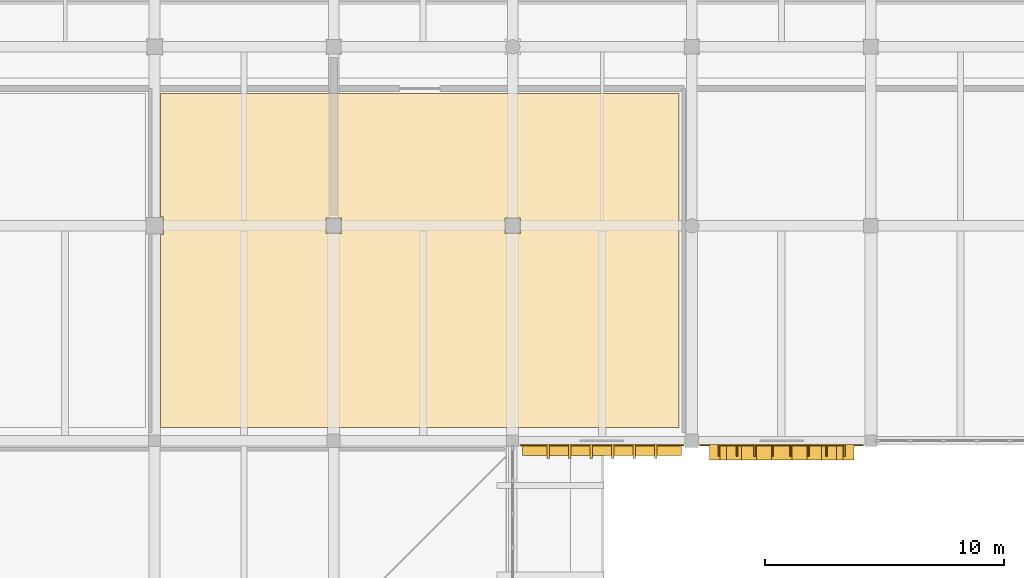
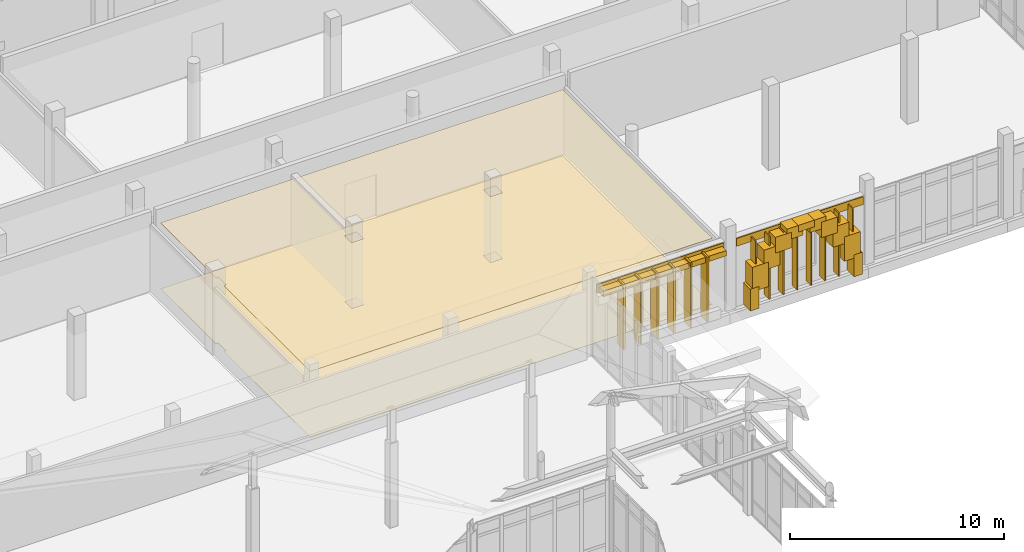
# One storey, part 123 of 131: 21 coverings, 9 shading devices.
"""IFC4 building model written with IfcOpenShell, lengths in metres."""

from ifc_helpers import new_model, si_unit, direction, frame, origin, origin_2d, place, context, subcontext, project, spatial, polyline, rectangle, outline, extrude, material, layer, layer_set, type_object, element, save


model = new_model("IFC4")

# Units and contexts
model_context = context("Model", 3, precision=1e-05, world=origin(), true_north=direction((0.0, 1.0)))
body_context = subcontext(model_context, "Body", "Model", "MODEL_VIEW")
ifc_project = project(units=[si_unit("LENGTHUNIT", "METRE"), si_unit("AREAUNIT", "SQUARE_METRE"), si_unit("VOLUMEUNIT", "CUBIC_METRE"), si_unit("PLANEANGLEUNIT", "RADIAN"), si_unit("MASSUNIT", "GRAM", prefix="KILO")], contexts=[model_context])

# Site, building, storey
site_placement = place(None, origin())
site = spatial("IfcSite", under=ifc_project, at=site_placement, CompositionType="ELEMENT")
building_placement = place(site_placement, origin())
building = spatial("IfcBuilding", under=site, at=building_placement, Name="Dalvernix Boulevard General Hospital", CompositionType="ELEMENT")
storey_placement = place(building_placement, frame((0.0, 0.0, 9.300048828125)))
storey = spatial("IfcBuildingStorey", under=building, at=storey_placement, Name="L02", CompositionType="ELEMENT", Elevation=9.300048828125)

# Coverings
ifc_material_1 = material(Name="Pressed Catalan clay brick and dressed limestone parabolic archivolt", Category="masonry")
ifc_layer_1 = layer(ifc_material_1, 0.419921875)
ifc_layer_set_1 = layer_set([ifc_layer_1], Name="Pressed Catalan clay brick and dressed limestone parabolic archivolt (COV-ARC-01)")
covering_type_1 = type_object("IfcCoveringType", Name="COV-ARC-01", PredefinedType="CLADDING", material=ifc_layer_set_1)
for number, where, z_axis, x_axis, name in (
    (1, (126.5625, 76.014892578125, 0.0), (0.0, 0.0, 1.0), (-1.0, 0.0, 0.0), "L02 Catalan parabolic arch impost pier S 16-10-L"),
    (2, (120.96240234375, 76.014892578125, 0.0), (0.0, 0.0, 1.0), (-1.0, 0.0, 0.0), "L02 Catalan parabolic arch impost pier S 16-10-R"),
):
    element("IfcCovering", number, at=place(storey_placement, frame(where, z_axis=z_axis, x_axis=x_axis)), inside=storey, type_object=covering_type_1, Name=name, PredefinedType="CLADDING", context=body_context, shape_type="SweptSolid", body=[
        extrude(rectangle(XDim=0.4599609375, YDim=0.659912109375, at=origin_2d()), origin(), (0.0, 0.0, 1.0), 1.25),
    ])
covering_1_placement = place(storey_placement, frame((126.25146484375, 76.014892578125, 1.059814453125), z_axis=(0.0, 0.0, 1.0), x_axis=(-1.0, 0.0, 0.0)))
element("IfcCovering", 3, at=covering_1_placement, inside=storey, type_object=covering_type_1, Name="L02 Catalan parabolic archivolt voussoir S 16-10-1", PredefinedType="CLADDING", context=body_context, shape_type="SweptSolid", body=[
    extrude(rectangle(XDim=0.8623046875, YDim=0.659912109375, at=origin_2d()), origin(), (0.0, 0.0, 1.0), 1.3994140625),
])
covering_2_placement = place(storey_placement, frame((125.629150390625, 76.014892578125, 2.0791015625), z_axis=(0.0, 0.0, 1.0), x_axis=(-1.0, 0.0, 0.0)))
element("IfcCovering", 4, at=covering_2_placement, inside=storey, type_object=covering_type_1, Name="L02 Catalan parabolic archivolt voussoir S 16-10-2", PredefinedType="CLADDING", context=body_context, shape_type="SweptSolid", body=[
    extrude(rectangle(XDim=0.8623046875, YDim=0.659912109375, at=origin_2d()), origin(), (0.0, 0.0, 1.0), 1.144287109375),
])
covering_3_placement = place(storey_placement, frame((125.0068359375, 76.014892578125, 2.843505859375), z_axis=(0.0, 0.0, 1.0), x_axis=(-1.0, 0.0, 0.0)))
element("IfcCovering", 5, at=covering_3_placement, inside=storey, type_object=covering_type_1, Name="L02 Catalan parabolic archivolt voussoir S 16-10-3", PredefinedType="CLADDING", context=body_context, shape_type="SweptSolid", body=[
    extrude(rectangle(XDim=0.8623046875, YDim=0.659912109375, at=origin_2d()), origin(), (0.0, 0.0, 1.0), 0.8896484375),
])
covering_4_placement = place(storey_placement, frame((124.384765625, 76.014892578125, 3.353271484375), z_axis=(0.0, 0.0, 1.0), x_axis=(-1.0, 0.0, 0.0)))
element("IfcCovering", 6, at=covering_4_placement, inside=storey, type_object=covering_type_1, Name="L02 Catalan parabolic archivolt voussoir S 16-10-4", PredefinedType="CLADDING", context=body_context, shape_type="SweptSolid", body=[
    extrude(rectangle(XDim=0.8623046875, YDim=0.659912109375, at=origin_2d()), origin(), (0.0, 0.0, 1.0), 0.634765625),
])
covering_5_placement = place(storey_placement, frame((123.762451171875, 76.014892578125, 3.608154296875), z_axis=(0.0, 0.0, 1.0), x_axis=(-1.0, 0.0, 0.0)))
element("IfcCovering", 7, at=covering_5_placement, inside=storey, type_object=covering_type_1, Name="L02 Catalan parabolic archivolt voussoir S 16-10-5", PredefinedType="CLADDING", context=body_context, shape_type="SweptSolid", body=[
    extrude(rectangle(XDim=0.8623046875, YDim=0.659912109375, at=origin_2d()), origin(), (0.0, 0.0, 1.0), 0.3798828125),
])
covering_6_placement = place(storey_placement, frame((123.140380859375, 76.014892578125, 3.353271484375), z_axis=(0.0, 0.0, 1.0), x_axis=(-1.0, 0.0, 0.0)))
element("IfcCovering", 8, at=covering_6_placement, inside=storey, type_object=covering_type_1, Name="L02 Catalan parabolic archivolt voussoir S 16-10-6", PredefinedType="CLADDING", context=body_context, shape_type="SweptSolid", body=[
    extrude(rectangle(XDim=0.8623046875, YDim=0.659912109375, at=origin_2d()), origin(), (0.0, 0.0, 1.0), 0.634765625),
])
covering_7_placement = place(storey_placement, frame((122.51806640625, 76.014892578125, 2.843505859375), z_axis=(0.0, 0.0, 1.0), x_axis=(-1.0, 0.0, 0.0)))
element("IfcCovering", 9, at=covering_7_placement, inside=storey, type_object=covering_type_1, Name="L02 Catalan parabolic archivolt voussoir S 16-10-7", PredefinedType="CLADDING", context=body_context, shape_type="SweptSolid", body=[
    extrude(rectangle(XDim=0.8623046875, YDim=0.659912109375, at=origin_2d()), origin(), (0.0, 0.0, 1.0), 0.8896484375),
])
covering_8_placement = place(storey_placement, frame((121.895751953125, 76.014892578125, 2.0791015625), z_axis=(0.0, 0.0, 1.0), x_axis=(-1.0, 0.0, 0.0)))
element("IfcCovering", 10, at=covering_8_placement, inside=storey, type_object=covering_type_1, Name="L02 Catalan parabolic archivolt voussoir S 16-10-8", PredefinedType="CLADDING", context=body_context, shape_type="SweptSolid", body=[
    extrude(rectangle(XDim=0.8623046875, YDim=0.659912109375, at=origin_2d()), origin(), (0.0, 0.0, 1.0), 1.144287109375),
])
covering_9_placement = place(storey_placement, frame((121.273681640625, 76.014892578125, 1.059814453125), z_axis=(0.0, 0.0, 1.0), x_axis=(-1.0, 0.0, 0.0)))
element("IfcCovering", 11, at=covering_9_placement, inside=storey, type_object=covering_type_1, Name="L02 Catalan parabolic archivolt voussoir S 16-10-9", PredefinedType="CLADDING", context=body_context, shape_type="SweptSolid", body=[
    extrude(rectangle(XDim=0.8623046875, YDim=0.659912109375, at=origin_2d()), origin(), (0.0, 0.0, 1.0), 1.3994140625),
])
ifc_material_2 = material(Name="Antimicrobial acoustic mineral-fibre suspended ceiling")
ifc_layer_2 = layer(ifc_material_2, 0.02490234375)
ifc_layer_set_2 = layer_set([ifc_layer_2], Name="Antimicrobial acoustic mineral-fibre suspended ceiling (COV-CEIL-01)")
covering_type_2 = type_object("IfcCoveringType", Name="COV-CEIL-01", PredefinedType="CEILING", material=ifc_layer_set_2)
covering_10_placement = place(storey_placement, frame((0.0, 0.0, 3.7548828125)))
element("IfcCovering", 12, at=covering_10_placement, inside=storey, type_object=covering_type_2, Name="L02 Operating Theatre 09 hygienic suspended ceiling", PredefinedType="CEILING", context=body_context, shape_type="SweptSolid", body=[
    extrude(outline(polyline([(97.8701171875, 85.1298828125), (97.8701171875, 85.8701171875), (97.75, 85.8701171875), (97.75, 91.050048828125), (119.469970703125, 91.050048828125), (119.469970703125, 77.050048828125), (97.75, 77.050048828125), (97.75, 85.1298828125), (97.8701171875, 85.1298828125)]), holes=[polyline([(104.679931640625, 85.820068359375), (104.679931640625, 85.179931640625), (105.320068359375, 85.179931640625), (105.320068359375, 85.820068359375), (104.679931640625, 85.820068359375)]), polyline([(112.820068359375, 85.820068359375), (112.179931640625, 85.820068359375), (112.179931640625, 85.179931640625), (112.820068359375, 85.179931640625), (112.820068359375, 85.820068359375)])]), origin(), (0.0, 0.0, 1.0), 0.025146484375),
])
ifc_material_3 = material(Name="Polychrome Catalan glazed ceramic spandrel tile panel")
ifc_layer_3 = layer(ifc_material_3, 0.044921875)
ifc_layer_set_3 = layer_set([ifc_layer_3], Name="Polychrome Catalan glazed ceramic spandrel tile panel (COV-CLD-01)")
covering_type_3 = type_object("IfcCoveringType", Name="COV-CLD-01", PredefinedType="CLADDING", material=ifc_layer_set_3)
for number, where, z_axis, x_axis, name in (
    (13, (116.237548828125, 76.304931640625, 3.47509765625), (0.0, 0.0, 1.0), (-1.0, 0.0, 0.0), "L02 polychrome ceramic spandrel S 15-10"),
    (14, (123.762451171875, 76.304931640625, 3.47509765625), (0.0, 0.0, 1.0), (-1.0, 0.0, 0.0), "L02 polychrome ceramic spandrel S 16-10"),
):
    element("IfcCovering", number, at=place(storey_placement, frame(where, z_axis=z_axis, x_axis=x_axis)), inside=storey, type_object=covering_type_3, Name=name, PredefinedType="CLADDING", context=body_context, shape_type="SweptSolid", body=[
        extrude(rectangle(XDim=6.85498046875, YDim=0.044921875, at=origin_2d()), origin(), (0.0, 0.0, 1.0), 0.449951171875),
    ])
ifc_material_4 = material(Name="Terracotta-clad iroko timber brise-soleil sun-breaker fin", Category="masonry")
ifc_layer_4 = layer(ifc_material_4, 0.10009765625)
ifc_layer_set_4 = layer_set([ifc_layer_4], Name="Terracotta-clad iroko timber brise-soleil sun-breaker fin (COV-FIN-02)")
covering_type_4 = type_object("IfcCoveringType", Name="COV-FIN-02", PredefinedType="CLADDING", material=ifc_layer_set_4)
for number, where, z_axis, x_axis, name in (
    (15, (118.487548828125, 76.054931640625, 0.119873046875), (0.0, 0.0, 1.0), (-1.0, 0.0, 0.0), "L02 terracotta brise-soleil fin S 15-10-1"),
    (16, (117.58740234375, 76.054931640625, 0.119873046875), (0.0, 0.0, 1.0), (-1.0, 0.0, 0.0), "L02 terracotta brise-soleil fin S 15-10-2"),
    (17, (116.6875, 76.054931640625, 0.119873046875), (0.0, 0.0, 1.0), (-1.0, 0.0, 0.0), "L02 terracotta brise-soleil fin S 15-10-3"),
    (18, (115.78759765625, 76.054931640625, 0.119873046875), (0.0, 0.0, 1.0), (-1.0, 0.0, 0.0), "L02 terracotta brise-soleil fin S 15-10-4"),
    (19, (114.887451171875, 76.054931640625, 0.119873046875), (0.0, 0.0, 1.0), (-1.0, 0.0, 0.0), "L02 terracotta brise-soleil fin S 15-10-5"),
    (20, (113.987548828125, 76.054931640625, 0.119873046875), (0.0, 0.0, 1.0), (-1.0, 0.0, 0.0), "L02 terracotta brise-soleil fin S 15-10-6"),
):
    element("IfcCovering", number, at=place(storey_placement, frame(where, z_axis=z_axis, x_axis=x_axis)), inside=storey, type_object=covering_type_4, Name=name, PredefinedType="CLADDING", context=body_context, shape_type="SweptSolid", body=[
        extrude(rectangle(XDim=0.10009765625, YDim=0.580078125, at=origin_2d()), origin(), (0.0, 0.0, 1.0), 3.7099609375),
    ])
ifc_material_5 = material(Name="Seamless welded medical vinyl and polished terrazzo flooring")
ifc_layer_5 = layer(ifc_material_5, 0.014892578125)
ifc_layer_set_5 = layer_set([ifc_layer_5], Name="Seamless welded medical vinyl and polished terrazzo flooring (COV-FLR-01)")
covering_type_5 = type_object("IfcCoveringType", Name="COV-FLR-01", PredefinedType="FLOORING", material=ifc_layer_set_5)
covering_11_placement = place(storey_placement, origin())
element("IfcCovering", 21, at=covering_11_placement, inside=storey, type_object=covering_type_5, Name="L02 Operating Theatre 09 seamless clinical flooring", PredefinedType="FLOORING", context=body_context, shape_type="SweptSolid", body=[
    extrude(outline(polyline([(97.8701171875, 85.1298828125), (97.8701171875, 85.8701171875), (97.75, 85.8701171875), (97.75, 91.050048828125), (119.469970703125, 91.050048828125), (119.469970703125, 77.050048828125), (97.75, 77.050048828125), (97.75, 85.1298828125), (97.8701171875, 85.1298828125)]), holes=[polyline([(104.679931640625, 85.820068359375), (104.679931640625, 85.179931640625), (105.320068359375, 85.179931640625), (105.320068359375, 85.820068359375), (104.679931640625, 85.820068359375)]), polyline([(112.820068359375, 85.820068359375), (112.179931640625, 85.820068359375), (112.179931640625, 85.179931640625), (112.820068359375, 85.179931640625), (112.820068359375, 85.820068359375)])]), origin(), (0.0, 0.0, 1.0), 0.014892578125),
])

# Shading devices
ifc_material_6 = material(Name="Preservative-treated West African iroko timber", Category="wood")
shading_device_type_1 = type_object("IfcShadingDeviceType", Name="SHD-FIN-01", PredefinedType="USERDEFINED", material=ifc_material_6)
for number, where, z_axis, x_axis, name in (
    (22, (126.387451171875, 76.094970703125, 0.1748046875), (0.0, 0.0, 1.0), (-1.0, 0.0, 0.0), "L02 iroko brise-soleil fin 1"),
    (23, (125.637451171875, 76.094970703125, 0.1748046875), (0.0, 0.0, 1.0), (-1.0, 0.0, 0.0), "L02 iroko brise-soleil fin 2"),
    (24, (124.887451171875, 76.094970703125, 0.1748046875), (0.0, 0.0, 1.0), (-1.0, 0.0, 0.0), "L02 iroko brise-soleil fin 3"),
    (25, (124.137451171875, 76.094970703125, 0.1748046875), (0.0, 0.0, 1.0), (-1.0, 0.0, 0.0), "L02 iroko brise-soleil fin 4"),
    (26, (123.387451171875, 76.094970703125, 0.1748046875), (0.0, 0.0, 1.0), (-1.0, 0.0, 0.0), "L02 iroko brise-soleil fin 5"),
    (27, (122.637451171875, 76.094970703125, 0.1748046875), (0.0, 0.0, 1.0), (-1.0, 0.0, 0.0), "L02 iroko brise-soleil fin 6"),
    (28, (121.887451171875, 76.094970703125, 0.1748046875), (0.0, 0.0, 1.0), (-1.0, 0.0, 0.0), "L02 iroko brise-soleil fin 7"),
    (29, (121.137451171875, 76.094970703125, 0.1748046875), (0.0, 0.0, 1.0), (-1.0, 0.0, 0.0), "L02 iroko brise-soleil fin 8"),
):
    element("IfcShadingDevice", number, at=place(storey_placement, frame(where, z_axis=z_axis, x_axis=x_axis)), inside=storey, type_object=shading_device_type_1, Name=name, ObjectType="FIN", PredefinedType="USERDEFINED", context=body_context, shape_type="SweptSolid", body=[
        extrude(rectangle(XDim=0.06494140625, YDim=0.47998046875, at=origin_2d()), origin(), (0.0, 0.0, 1.0), 3.60009765625),
    ])
ifc_material_7 = material(Name="Extruded aluminium solar jalousie louvre bank", Category="aluminium")
shading_device_type_2 = type_object("IfcShadingDeviceType", Name="SHD-JAL-01", PredefinedType="JALOUSIE", material=ifc_material_7)
shading_device_placement = place(storey_placement, frame((116.237548828125, 76.114990234375, 3.44970703125), z_axis=(0.0, 0.0, 1.0), x_axis=(-1.0, 0.0, 0.0)))
element("IfcShadingDevice", 30, at=shading_device_placement, inside=storey, type_object=shading_device_type_2, Name="L02 solar jalousie louvre S 15-10", PredefinedType="JALOUSIE", context=body_context, shape_type="SweptSolid", body=[
    extrude(rectangle(XDim=6.655029296875, YDim=0.449951171875, at=origin_2d()), origin(), (0.0, 0.0, 1.0), 0.300048828125),
])

save(model, "model.ifc")
